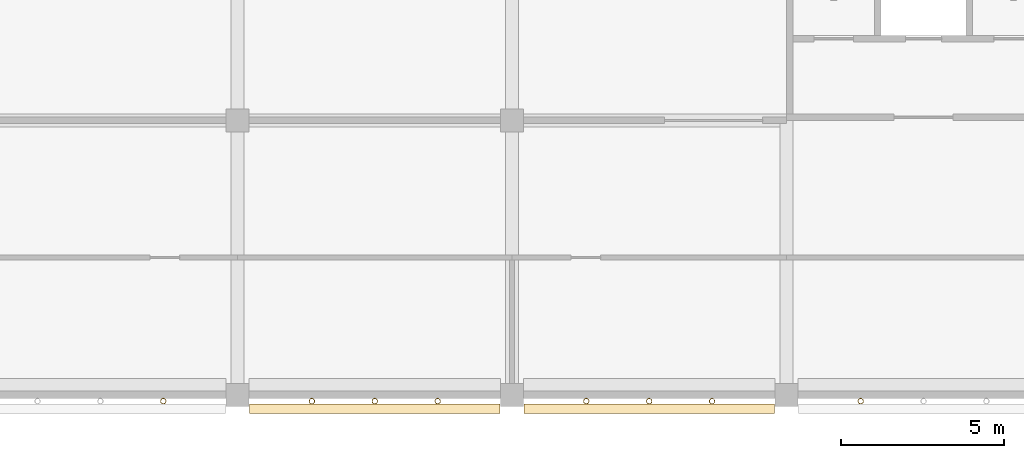
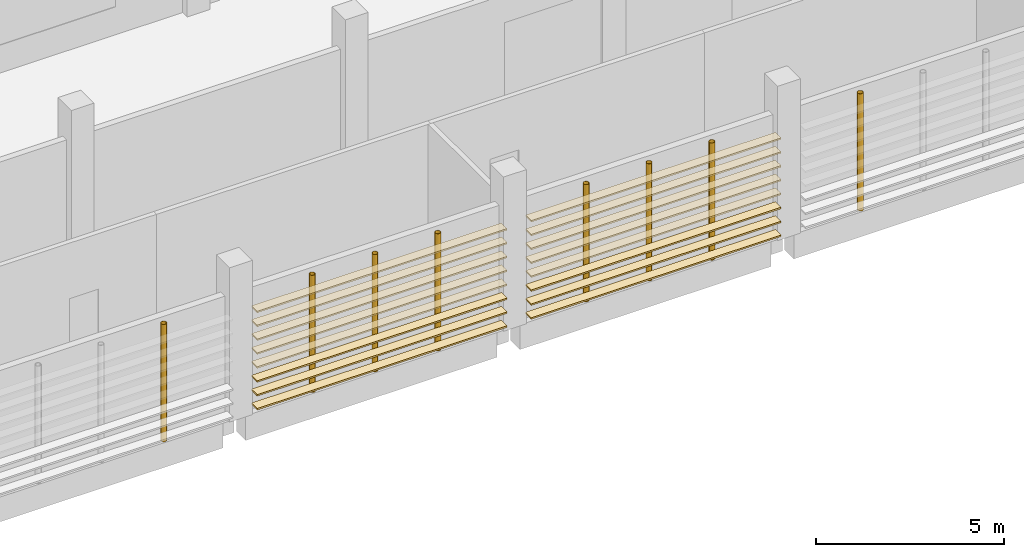
# One storey, part 49 of 82: 16 coverings, 8 shading devices.
"""IFC4 building model written with IfcOpenShell, lengths in metres."""

from ifc_helpers import new_model, si_unit, direction, frame, origin, origin_2d, place, context, subcontext, project, spatial, rectangle, hollow_circle, extrude, material, material_profile, profile_set, type_object, element, save


model = new_model("IFC4")

# Units and contexts
model_context = context("Model", 3, precision=1e-05, world=origin(), true_north=direction((0.0, 1.0)))
body_context = subcontext(model_context, "Body", "Model", "MODEL_VIEW")
ifc_project = project(units=[si_unit("LENGTHUNIT", "METRE"), si_unit("AREAUNIT", "SQUARE_METRE"), si_unit("VOLUMEUNIT", "CUBIC_METRE"), si_unit("PLANEANGLEUNIT", "RADIAN"), si_unit("MASSUNIT", "GRAM", prefix="KILO")], contexts=[model_context])

# Site, building, storey
site_placement = place(None, origin())
site = spatial("IfcSite", under=ifc_project, at=site_placement, CompositionType="ELEMENT")
building_placement = place(site_placement, origin())
building = spatial("IfcBuilding", under=site, at=building_placement, Name="Almond Square Museum", CompositionType="ELEMENT")
storey_placement = place(building_placement, frame((0.0, 0.0, 20.0)))
storey = spatial("IfcBuildingStorey", under=building, at=storey_placement, Name="L03", CompositionType="ELEMENT", Elevation=20.0)

# Shading devices
ifc_material_1 = material(Name="Structural steel S355", Category="steel")
ifc_material_profile_1 = material_profile(ifc_material_1, hollow_circle(Radius=0.084228515625, WallThickness=0.008056640625, at=origin_2d()))
ifc_profile_set_1 = profile_set([ifc_material_profile_1], Name="Structural steel S355")
shading_device_type = type_object("IfcShadingDeviceType", Name="Louvre post CHS 168.3 x 8", PredefinedType="USERDEFINED", material=ifc_profile_set_1)
for number, where, z_axis, x_axis, name in (
    (1, (37.324951171875, -0.194091796875, 0.0), (0.0, 0.0, 1.0), (1.0, 0.0, 0.0), "Louvre screen post"),
    (2, (41.875, -0.194091796875, 0.0), (0.0, 0.0, 1.0), (1.0, 0.0, 0.0), "Louvre screen post"),
    (3, (43.800048828125, -0.194091796875, 0.0), (0.0, 0.0, 1.0), (1.0, 0.0, 0.0), "Louvre screen post"),
    (4, (45.72509765625, -0.194091796875, 0.0), (0.0, 0.0, 1.0), (1.0, 0.0, 0.0), "Louvre screen post"),
    (5, (50.27490234375, -0.194091796875, 0.0), (0.0, 0.0, 1.0), (1.0, 0.0, 0.0), "Louvre screen post"),
    (6, (52.199951171875, -0.194091796875, 0.0), (0.0, 0.0, 1.0), (1.0, 0.0, 0.0), "Louvre screen post"),
    (7, (54.125, -0.194091796875, 0.0), (0.0, 0.0, 1.0), (1.0, 0.0, 0.0), "Louvre screen post"),
    (8, (58.675048828125, -0.194091796875, 0.0), (0.0, 0.0, 1.0), (1.0, 0.0, 0.0), "Louvre screen post"),
):
    element("IfcShadingDevice", number, at=place(storey_placement, frame(where, z_axis=z_axis, x_axis=x_axis)), inside=storey, type_object=shading_device_type, Name=name, ObjectType="POST", PredefinedType="USERDEFINED", context=body_context, shape_type="SweptSolid", body=[
        extrude(hollow_circle(Radius=0.084228515625, WallThickness=0.008056640625, at=origin_2d()), origin(), (0.0, 0.0, 1.0), 3.800048828125),
    ])

# Coverings
ifc_material_2 = material(Name="Cedar timber louvre board", Category="wood")
ifc_material_profile_2 = material_profile(ifc_material_2, rectangle(XDim=0.300048828125, YDim=0.050048828125, at=origin_2d()))
ifc_profile_set_2 = profile_set([ifc_material_profile_2], Name="Cedar timber louvre board")
covering_type = type_object("IfcCoveringType", Name="Louvre screen board 300 x 50", PredefinedType="CLADDING", material=ifc_profile_set_2)
for number, where, z_axis, x_axis, name in (
    (9, (39.969970703125, -0.42431640625, 0.300048828125), (1.0, 0.0, 0.0), (0.0, 1.0, 0.0), "Louvre screen board"),
    (10, (39.969970703125, -0.42431640625, 0.75), (1.0, 0.0, 0.0), (0.0, 1.0, 0.0), "Louvre screen board"),
    (11, (39.969970703125, -0.42431640625, 1.199951171875), (1.0, 0.0, 0.0), (0.0, 1.0, 0.0), "Louvre screen board"),
    (12, (39.969970703125, -0.42431640625, 1.64990234375), (1.0, 0.0, 0.0), (0.0, 1.0, 0.0), "Louvre screen board"),
    (13, (39.969970703125, -0.42431640625, 2.10009765625), (1.0, 0.0, 0.0), (0.0, 1.0, 0.0), "Louvre screen board"),
    (14, (39.969970703125, -0.42431640625, 2.550048828125), (1.0, 0.0, 0.0), (0.0, 1.0, 0.0), "Louvre screen board"),
    (15, (39.969970703125, -0.42431640625, 3.0), (1.0, 0.0, 0.0), (0.0, 1.0, 0.0), "Louvre screen board"),
    (16, (39.969970703125, -0.42431640625, 3.449951171875), (1.0, 0.0, 0.0), (0.0, 1.0, 0.0), "Louvre screen board"),
    (17, (48.3701171875, -0.42431640625, 0.300048828125), (1.0, 0.0, 0.0), (0.0, 1.0, 0.0), "Louvre screen board"),
    (18, (48.3701171875, -0.42431640625, 0.75), (1.0, 0.0, 0.0), (0.0, 1.0, 0.0), "Louvre screen board"),
    (19, (48.3701171875, -0.42431640625, 1.199951171875), (1.0, 0.0, 0.0), (0.0, 1.0, 0.0), "Louvre screen board"),
    (20, (48.3701171875, -0.42431640625, 1.64990234375), (1.0, 0.0, 0.0), (0.0, 1.0, 0.0), "Louvre screen board"),
    (21, (48.3701171875, -0.42431640625, 2.10009765625), (1.0, 0.0, 0.0), (0.0, 1.0, 0.0), "Louvre screen board"),
    (22, (48.3701171875, -0.42431640625, 2.550048828125), (1.0, 0.0, 0.0), (0.0, 1.0, 0.0), "Louvre screen board"),
    (23, (48.3701171875, -0.42431640625, 3.0), (1.0, 0.0, 0.0), (0.0, 1.0, 0.0), "Louvre screen board"),
    (24, (48.3701171875, -0.42431640625, 3.449951171875), (1.0, 0.0, 0.0), (0.0, 1.0, 0.0), "Louvre screen board"),
):
    element("IfcCovering", number, at=place(storey_placement, frame(where, z_axis=z_axis, x_axis=x_axis)), inside=storey, type_object=covering_type, Name=name, PredefinedType="CLADDING", context=body_context, shape_type="SweptSolid", body=[
        extrude(rectangle(XDim=0.300048828125, YDim=0.050048828125, at=origin_2d()), origin(), (0.0, 0.0, 1.0), 7.659912109375),
    ])

save(model, "model.ifc")
